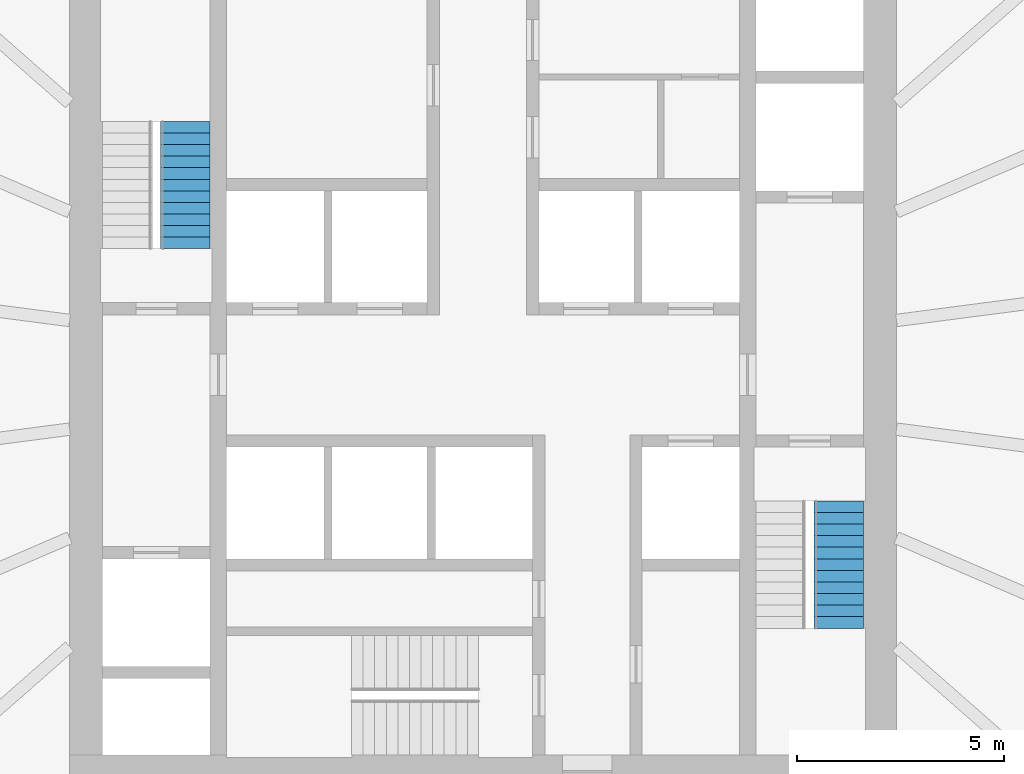
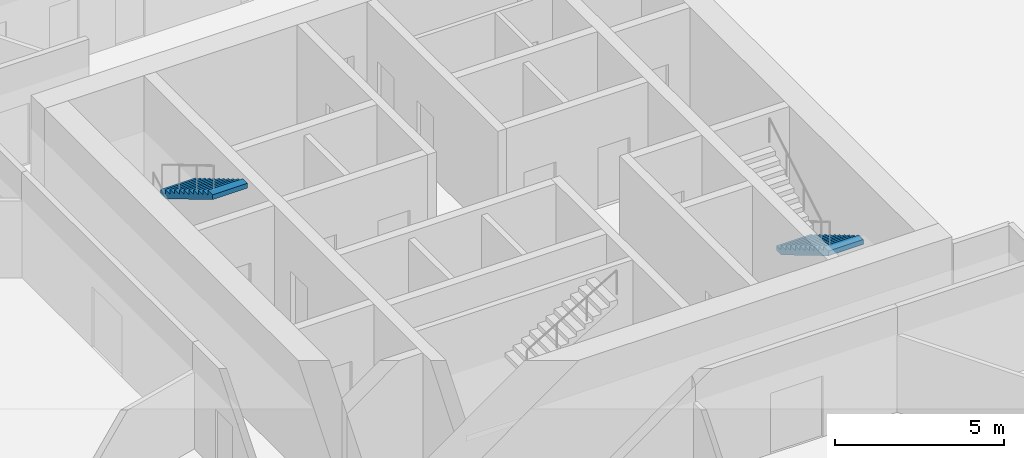
# One storey, part 5 of 6: 2 stair flights, 2 elements without a shape of their own.
"""IFC4 building model written with IfcOpenShell, lengths in metres."""

from ifc_helpers import new_model, si_unit, direction, frame, origin, place, context, subcontext, project, spatial, polyline, outline, extrude, material, type_object, element, aggregate, save


model = new_model("IFC4")

# Units and contexts
model_context = context("Model", 3, precision=1e-05, world=origin(), true_north=direction((0.0, 1.0)))
body_context = subcontext(model_context, "Body", "Model", "MODEL_VIEW")
ifc_project = project(units=[si_unit("LENGTHUNIT", "METRE"), si_unit("AREAUNIT", "SQUARE_METRE"), si_unit("VOLUMEUNIT", "CUBIC_METRE"), si_unit("PLANEANGLEUNIT", "RADIAN"), si_unit("MASSUNIT", "GRAM", prefix="KILO")], contexts=[model_context])

# Site, building, storey
site_placement = place(None, origin())
site = spatial("IfcSite", under=ifc_project, at=site_placement, CompositionType="ELEMENT")
building_placement = place(site_placement, origin())
building = spatial("IfcBuilding", under=site, at=building_placement, Name="Golbaran Civic Tower", CompositionType="ELEMENT")
storey_placement = place(building_placement, frame((0.0, 0.0, 77.0)))
storey = spatial("IfcBuildingStorey", under=building, at=storey_placement, Name="L18", CompositionType="ELEMENT", Elevation=77.0)

# Stair, stair flight
ifc_material = material(Name="Concrete C35/45", Category="concrete")
stair_type = type_object("IfcStairType", Name="EXIT STAIR 2600 x 7450, 4000 RISE", PredefinedType="HALF_TURN_STAIR", material=ifc_material)
stair_1_placement = place(storey_placement, origin())
stair_1 = element("IfcStair", 1, at=stair_1_placement, inside=storey, type_object=stair_type, Name="Stair S1 L18", PredefinedType="HALF_TURN_STAIR")
stair_flight_type = type_object("IfcStairFlightType", Name="STAIR FLIGHT 1200 WIDE", PredefinedType="STRAIGHT", material=ifc_material)
stair_flight_1_placement = place(storey_placement, frame((-7.199951171875, 6.1298828125, 2.0), z_axis=(0.0, 0.0, 1.0), x_axis=(0.0, -1.0, 0.0)))
stair_flight_1 = element("IfcStairFlight", 2, at=stair_flight_1_placement, type_object=stair_flight_type, Name="ST26074-40 flight 2", NumberOfRisers=12, NumberOfTreads=11, PredefinedType="STRAIGHT", RiserHeight=0.166666667, TreadLength=0.28, context=body_context, shape_type="SweptSolid", body=[
    extrude(outline(polyline([(0.0, 0.0), (0.0, 0.166748046875), (0.280029296875, 0.166748046875), (0.280029296875, 0.333251953125), (0.56005859375, 0.333251953125), (0.56005859375, 0.5), (0.840087890625, 0.5), (0.840087890625, 0.666748046875), (1.1201171875, 0.666748046875), (1.1201171875, 0.833251953125), (1.39990234375, 0.833251953125), (1.39990234375, 1.0), (1.679931640625, 1.0), (1.679931640625, 1.166748046875), (1.9599609375, 1.166748046875), (1.9599609375, 1.333251953125), (2.239990234375, 1.333251953125), (2.239990234375, 1.5), (2.52001953125, 1.5), (2.52001953125, 1.666748046875), (2.800048828125, 1.666748046875), (2.800048828125, 1.833251953125), (3.080078125, 1.833251953125), (3.080078125, 2.0), (3.080078125, 1.658935546875), (0.29296875, 0.0), (0.0, 0.0)])), frame((0.0, 0.60009765625, 0.0), z_axis=(0.0, -1.0, 0.0), x_axis=(1.0, 0.0, 0.0)), (0.0, 0.0, 1.0), 1.199951171875),
])
aggregate(stair_1, [stair_flight_1])

stair_2_placement = place(storey_placement, origin())
stair_2 = element("IfcStair", 3, at=stair_2_placement, inside=storey, type_object=stair_type, Name="Stair S2 L18", PredefinedType="HALF_TURN_STAIR")
stair_flight_2_placement = place(storey_placement, frame((8.60009765625, -3.050048828125, 0.0), z_axis=(0.0, 0.0, 1.0), x_axis=(0.0, -1.0, 0.0)))
stair_flight_2 = element("IfcStairFlight", 4, at=stair_flight_2_placement, type_object=stair_flight_type, Name="ST26074-40 flight 1", NumberOfRisers=12, NumberOfTreads=11, PredefinedType="STRAIGHT", RiserHeight=0.166666667, TreadLength=0.28, context=body_context, shape_type="SweptSolid", body=[
    extrude(outline(polyline([(0.0, 0.0), (0.0, 0.166748046875), (0.280029296875, 0.166748046875), (0.280029296875, 0.333251953125), (0.56005859375, 0.333251953125), (0.56005859375, 0.5), (0.840087890625, 0.5), (0.840087890625, 0.666748046875), (1.1201171875, 0.666748046875), (1.1201171875, 0.833251953125), (1.39990234375, 0.833251953125), (1.39990234375, 1.0), (1.679931640625, 1.0), (1.679931640625, 1.166748046875), (1.9599609375, 1.166748046875), (1.9599609375, 1.333251953125), (2.239990234375, 1.333251953125), (2.239990234375, 1.5), (2.52001953125, 1.5), (2.52001953125, 1.666748046875), (2.800048828125, 1.666748046875), (2.800048828125, 1.833251953125), (3.080078125, 1.833251953125), (3.080078125, 2.0), (3.080078125, 1.658935546875), (0.29296875, 0.0), (0.0, 0.0)])), frame((0.0, 0.60009765625, 0.0), z_axis=(0.0, -1.0, 0.0), x_axis=(1.0, 0.0, 0.0)), (0.0, 0.0, 1.0), 1.199951171875),
])
aggregate(stair_2, [stair_flight_2])

save(model, "model.ifc")
